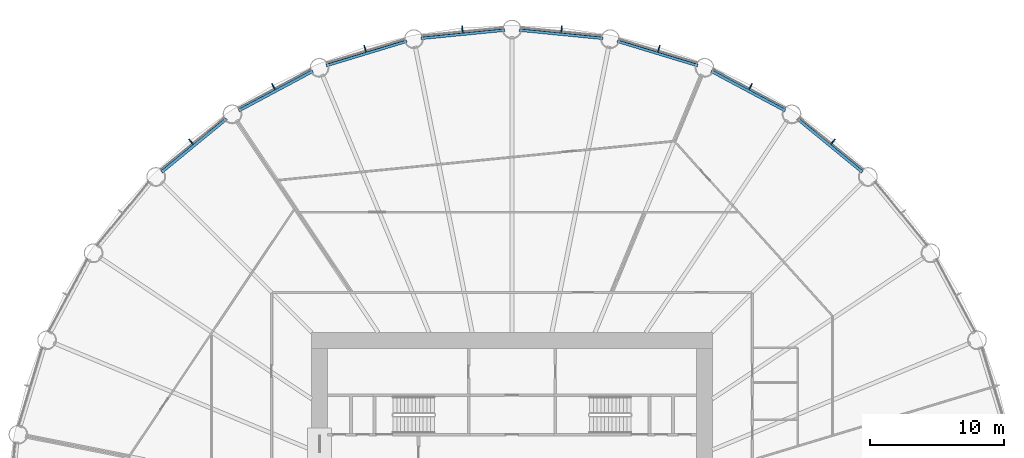
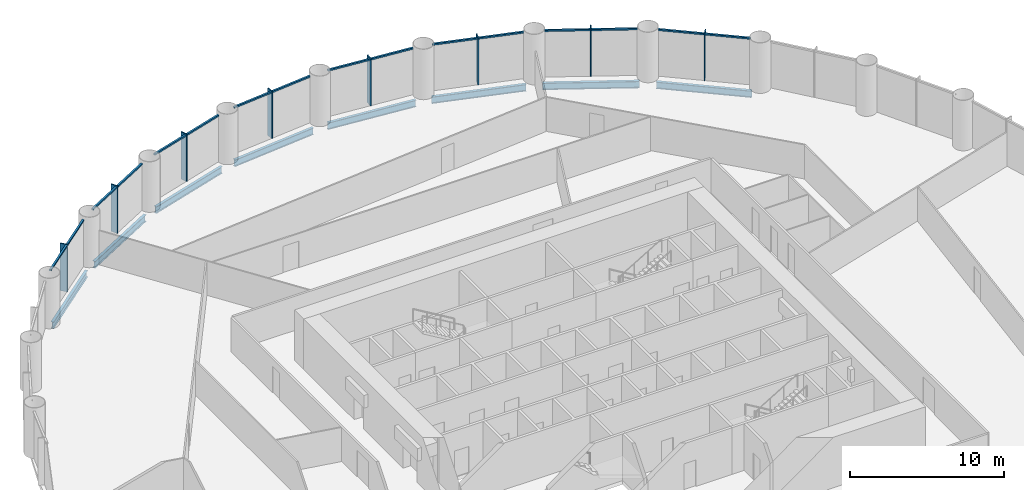
# One storey, part 7 of 14: 24 members, 8 beams, 8 elements without a shape of their own.
"""IFC4 building model written with IfcOpenShell, lengths in metres."""

from ifc_helpers import new_model, si_unit, direction, frame, origin, origin_2d, place, context, subcontext, project, spatial, rectangle, i_section, extrude, material, material_profile, profile_set, type_object, element, aggregate, save


model = new_model("IFC4")

# Units and contexts
model_context = context("Model", 3, precision=1e-05, world=origin(), true_north=direction((0.0, 1.0)))
body_context = subcontext(model_context, "Body", "Model", "MODEL_VIEW")
ifc_project = project(units=[si_unit("LENGTHUNIT", "METRE"), si_unit("AREAUNIT", "SQUARE_METRE"), si_unit("VOLUMEUNIT", "CUBIC_METRE"), si_unit("PLANEANGLEUNIT", "RADIAN"), si_unit("MASSUNIT", "GRAM", prefix="KILO")], contexts=[model_context])

# Site, building, storey
site_placement = place(None, origin())
site = spatial("IfcSite", under=ifc_project, at=site_placement, CompositionType="ELEMENT")
building_placement = place(site_placement, origin())
building = spatial("IfcBuilding", under=site, at=building_placement, Name="Corvane Civic Tower", CompositionType="ELEMENT")
storey_placement = place(building_placement, frame((0.0, 0.0, 49.0)))
storey = spatial("IfcBuildingStorey", under=building, at=storey_placement, Name="L10", CompositionType="ELEMENT", Elevation=49.0)

# Beams
ifc_material_1 = material(Name="Steel ASTM A992 Gr 50", Category="steel")
ifc_material_profile_1 = material_profile(ifc_material_1, i_section(OverallWidth=0.209228515625, OverallDepth=0.533447265625, WebThickness=0.01025390625, FlangeThickness=0.015625, at=origin_2d()), Name="W21X62")
ifc_profile_set_1 = profile_set([ifc_material_profile_1], Name="Steel ASTM A992 Gr 50")
beam_type = type_object("IfcBeamType", Name="EDGE BEAM W21X62", PredefinedType="BEAM", material=ifc_profile_set_1)
beam_1_placement = place(storey_placement, frame((0.54736328125, 37.64599609375, -0.566650390625), z_axis=(0.995186682089, -0.097997284622, 0.0), x_axis=(0.097997284622, 0.995186682089, 0.0)))
element("IfcBeam", 1, at=beam_1_placement, inside=storey, type_object=beam_type, Name="BM-L10-E01", PredefinedType="BEAM", context=body_context, shape_type="SweptSolid", body=[
    extrude(i_section(OverallWidth=0.209228515625, OverallDepth=0.533447265625, WebThickness=0.01025390625, FlangeThickness=0.015625, at=origin_2d()), origin(), (0.0, 0.0, 1.0), 6.29052734375),
])
for number, where, z_axis, x_axis, name in (
    (2, (7.88134765625, 36.81591796875, -0.566650390625), (0.956943740748, -0.290273452184, 0.0), (0.290273452184, 0.956943740748, 0.0), "BM-L10-E02"),
    (3, (14.912353515625, 34.571044921875, -0.566650390625), (0.881916367906, -0.471405897311, 0.0), (0.471405897311, 0.881916367906, 0.0), "BM-L10-E03"),
):
    element("IfcBeam", number, at=place(storey_placement, frame(where, z_axis=z_axis, x_axis=x_axis)), inside=storey, type_object=beam_type, Name=name, PredefinedType="BEAM", context=body_context, shape_type="SweptSolid", body=[
        extrude(i_section(OverallWidth=0.209228515625, OverallDepth=0.533447265625, WebThickness=0.01025390625, FlangeThickness=0.015625, at=origin_2d()), origin(), (0.0, 0.0, 1.0), 6.290283203125),
    ])
for number, where, z_axis, x_axis, name in (
    (4, (21.3701171875, 30.99755859375, -0.566650390625), (0.773015785286, -0.634386787141, 0.0), (0.634386787141, 0.773015785286, 0.0), "BM-L10-E04"),
    (5, (-26.23291015625, 27.0068359375, -0.566650390625), (0.773015785286, 0.634386787141, 0.0), (-0.634386787141, 0.773015785286, 0.0), "BM-L10-E29"),
):
    element("IfcBeam", number, at=place(storey_placement, frame(where, z_axis=z_axis, x_axis=x_axis)), inside=storey, type_object=beam_type, Name=name, PredefinedType="BEAM", context=body_context, shape_type="SweptSolid", body=[
        extrude(i_section(OverallWidth=0.209228515625, OverallDepth=0.533447265625, WebThickness=0.01025390625, FlangeThickness=0.015625, at=origin_2d()), origin(), (0.0, 0.0, 1.0), 6.290771484375),
    ])
for number, where, z_axis, x_axis, name in (
    (6, (-20.4599609375, 31.605712890625, -0.566650390625), (0.881916367906, 0.471405897311, 0.0), (-0.471405897311, 0.881916367906, 0.0), "BM-L10-E30"),
    (7, (-13.90087890625, 34.989990234375, -0.566650390625), (0.956943740748, 0.290273452184, 0.0), (-0.290273452184, 0.956943740748, 0.0), "BM-L10-E31"),
):
    element("IfcBeam", number, at=place(storey_placement, frame(where, z_axis=z_axis, x_axis=x_axis)), inside=storey, type_object=beam_type, Name=name, PredefinedType="BEAM", context=body_context, shape_type="SweptSolid", body=[
        extrude(i_section(OverallWidth=0.209228515625, OverallDepth=0.533447265625, WebThickness=0.01025390625, FlangeThickness=0.015625, at=origin_2d()), origin(), (0.0, 0.0, 1.0), 6.290283203125),
    ])
beam_2_placement = place(storey_placement, frame((-6.8076171875, 37.029541015625, -0.566650390625), z_axis=(0.995186682089, 0.097997284622, 0.0), x_axis=(-0.097997284622, 0.995186682089, 0.0)))
element("IfcBeam", 8, at=beam_2_placement, inside=storey, type_object=beam_type, Name="BM-L10-E32", PredefinedType="BEAM", context=body_context, shape_type="SweptSolid", body=[
    extrude(i_section(OverallWidth=0.209228515625, OverallDepth=0.533447265625, WebThickness=0.01025390625, FlangeThickness=0.015625, at=origin_2d()), origin(), (0.0, 0.0, 1.0), 6.29052734375),
])

# Curtain wall, members
ifc_material_2 = material(Name="Anodised aluminium bronze", Category="aluminium")
curtain_wall_type = type_object("IfcCurtainWallType", Name="TOWER CW-T1 STICK CURTAIN WALL", PredefinedType="NOTDEFINED", material=ifc_material_2)
curtain_wall_1_placement = place(storey_placement, origin())
curtain_wall_1 = element("IfcCurtainWall", 9, at=curtain_wall_1_placement, inside=storey, type_object=curtain_wall_type, Name="Curtain wall CW-T1 L10 bay 01", PredefinedType="NOTDEFINED")
ifc_material_3 = material(Name="Anodised aluminium bronze", Category="aluminium")
ifc_material_profile_2 = material_profile(ifc_material_3, rectangle(XDim=0.139892578125, YDim=0.1201171875, at=origin_2d()), Name="TOWER CW-T1 TRANSOM 140x120")
ifc_profile_set_2 = profile_set([ifc_material_profile_2], Name="Anodised aluminium bronze")
member_type_1 = type_object("IfcMemberType", Name="TOWER CW-T1 TRANSOM 140x120", PredefinedType="USERDEFINED", material=ifc_profile_set_2)
member_1_placement = place(storey_placement, frame((0.6611328125, 37.814697265625, 3.68994140625), z_axis=(0.995191836722, -0.097944923917, 0.0), x_axis=(0.097944923917, 0.995191836722, 0.0)))
member_1 = element("IfcMember", 10, at=member_1_placement, type_object=member_type_1, Name="Transom CW-T1 L10 01.1", ObjectType="TRANSOM", PredefinedType="USERDEFINED", context=body_context, shape_type="SweptSolid", body=[
    extrude(rectangle(XDim=0.139892578125, YDim=0.1201171875, at=origin_2d()), origin(), (0.0, 0.0, 1.0), 3.008544921875),
])
member_2_placement = place(storey_placement, frame((3.73486328125, 37.511962890625, 3.68994140625), z_axis=(0.995191836722, -0.097944923917, 0.0), x_axis=(0.097944923917, 0.995191836722, 0.0)))
member_2 = element("IfcMember", 11, at=member_2_placement, type_object=member_type_1, Name="Transom CW-T1 L10 01.2", ObjectType="TRANSOM", PredefinedType="USERDEFINED", context=body_context, shape_type="SweptSolid", body=[
    extrude(rectangle(XDim=0.139892578125, YDim=0.1201171875, at=origin_2d()), origin(), (0.0, 0.0, 1.0), 3.008544921875),
])

curtain_wall_2_placement = place(storey_placement, origin())
curtain_wall_2 = element("IfcCurtainWall", 12, at=curtain_wall_2_placement, inside=storey, type_object=curtain_wall_type, Name="Curtain wall CW-T1 L10 bay 02", PredefinedType="NOTDEFINED")
member_3_placement = place(storey_placement, frame((8.02587890625, 36.959228515625, 3.68994140625), z_axis=(0.956941780555, -0.290279914268, 0.0), x_axis=(0.290279914268, 0.956941780555, 0.0)))
member_3 = element("IfcMember", 13, at=member_3_placement, type_object=member_type_1, Name="Transom CW-T1 L10 02.1", ObjectType="TRANSOM", PredefinedType="USERDEFINED", context=body_context, shape_type="SweptSolid", body=[
    extrude(rectangle(XDim=0.139892578125, YDim=0.1201171875, at=origin_2d()), origin(), (0.0, 0.0, 1.0), 3.008544921875),
])
member_4_placement = place(storey_placement, frame((10.9814453125, 36.062744140625, 3.68994140625), z_axis=(0.956941780555, -0.290279914268, 0.0), x_axis=(0.290279914268, 0.956941780555, 0.0)))
member_4 = element("IfcMember", 14, at=member_4_placement, type_object=member_type_1, Name="Transom CW-T1 L10 02.2", ObjectType="TRANSOM", PredefinedType="USERDEFINED", context=body_context, shape_type="SweptSolid", body=[
    extrude(rectangle(XDim=0.139892578125, YDim=0.1201171875, at=origin_2d()), origin(), (0.0, 0.0, 1.0), 3.008544921875),
])

curtain_wall_3_placement = place(storey_placement, origin())
curtain_wall_3 = element("IfcCurtainWall", 15, at=curtain_wall_3_placement, inside=storey, type_object=curtain_wall_type, Name="Curtain wall CW-T1 L10 bay 03", PredefinedType="NOTDEFINED")
member_5_placement = place(storey_placement, frame((15.08203125, 34.683349609375, 3.68994140625), z_axis=(0.881923525532, -0.471392506424, 0.0), x_axis=(0.471392506424, 0.881923525532, 0.0)))
member_5 = element("IfcMember", 16, at=member_5_placement, type_object=member_type_1, Name="Transom CW-T1 L10 03.1", ObjectType="TRANSOM", PredefinedType="USERDEFINED", context=body_context, shape_type="SweptSolid", body=[
    extrude(rectangle(XDim=0.139892578125, YDim=0.1201171875, at=origin_2d()), origin(), (0.0, 0.0, 1.0), 3.008544921875),
])
member_6_placement = place(storey_placement, frame((17.805908203125, 33.2275390625, 3.68994140625), z_axis=(0.881923525532, -0.471392506424, 0.0), x_axis=(0.471392506424, 0.881923525532, 0.0)))
member_6 = element("IfcMember", 17, at=member_6_placement, type_object=member_type_1, Name="Transom CW-T1 L10 03.2", ObjectType="TRANSOM", PredefinedType="USERDEFINED", context=body_context, shape_type="SweptSolid", body=[
    extrude(rectangle(XDim=0.139892578125, YDim=0.1201171875, at=origin_2d()), origin(), (0.0, 0.0, 1.0), 3.008544921875),
])

curtain_wall_4_placement = place(storey_placement, origin())
curtain_wall_4 = element("IfcCurtainWall", 18, at=curtain_wall_4_placement, inside=storey, type_object=curtain_wall_type, Name="Curtain wall CW-T1 L10 bay 04", PredefinedType="NOTDEFINED")
member_7_placement = place(storey_placement, frame((21.55859375, 31.074462890625, 3.68994140625), z_axis=(0.773041738279, -0.634355161466, 0.0), x_axis=(0.634355161466, 0.773041738279, 0.0)))
member_7 = element("IfcMember", 19, at=member_7_placement, type_object=member_type_1, Name="Transom CW-T1 L10 04.1", ObjectType="TRANSOM", PredefinedType="USERDEFINED", context=body_context, shape_type="SweptSolid", body=[
    extrude(rectangle(XDim=0.139892578125, YDim=0.1201171875, at=origin_2d()), origin(), (0.0, 0.0, 1.0), 3.008544921875),
])
member_8_placement = place(storey_placement, frame((23.946044921875, 29.115234375, 3.68994140625), z_axis=(0.773001943873, -0.634403652865, 0.0), x_axis=(0.634403652865, 0.773001943873, 0.0)))
member_8 = element("IfcMember", 20, at=member_8_placement, type_object=member_type_1, Name="Transom CW-T1 L10 04.2", ObjectType="TRANSOM", PredefinedType="USERDEFINED", context=body_context, shape_type="SweptSolid", body=[
    extrude(rectangle(XDim=0.139892578125, YDim=0.1201171875, at=origin_2d()), origin(), (0.0, 0.0, 1.0), 3.008544921875),
])

curtain_wall_5_placement = place(storey_placement, origin())
curtain_wall_5 = element("IfcCurtainWall", 21, at=curtain_wall_5_placement, inside=storey, type_object=curtain_wall_type, Name="Curtain wall CW-T1 L10 bay 29", PredefinedType="NOTDEFINED")
member_9_placement = place(storey_placement, frame((-26.271728515625, 27.20654296875, 3.68994140625), z_axis=(0.773001943873, 0.634403652865, 0.0), x_axis=(-0.634403652865, 0.773001943873, 0.0)))
member_9 = element("IfcMember", 22, at=member_9_placement, type_object=member_type_1, Name="Transom CW-T1 L10 29.1", ObjectType="TRANSOM", PredefinedType="USERDEFINED", context=body_context, shape_type="SweptSolid", body=[
    extrude(rectangle(XDim=0.139892578125, YDim=0.1201171875, at=origin_2d()), origin(), (0.0, 0.0, 1.0), 3.008544921875),
])
member_10_placement = place(storey_placement, frame((-23.88427734375, 29.166015625, 3.68994140625), z_axis=(0.773041738279, 0.634355161466, 0.0), x_axis=(-0.634355161466, 0.773041738279, 0.0)))
member_10 = element("IfcMember", 23, at=member_10_placement, type_object=member_type_1, Name="Transom CW-T1 L10 29.2", ObjectType="TRANSOM", PredefinedType="USERDEFINED", context=body_context, shape_type="SweptSolid", body=[
    extrude(rectangle(XDim=0.139892578125, YDim=0.1201171875, at=origin_2d()), origin(), (0.0, 0.0, 1.0), 3.008544921875),
])

curtain_wall_6_placement = place(storey_placement, origin())
curtain_wall_6 = element("IfcCurtainWall", 24, at=curtain_wall_6_placement, inside=storey, type_object=curtain_wall_type, Name="Curtain wall CW-T1 L10 bay 30", PredefinedType="NOTDEFINED")
member_11_placement = place(storey_placement, frame((-20.459228515625, 31.809326171875, 3.68994140625), z_axis=(0.881923525532, 0.471392506424, 0.0), x_axis=(-0.471392506424, 0.881923525532, 0.0)))
member_11 = element("IfcMember", 25, at=member_11_placement, type_object=member_type_1, Name="Transom CW-T1 L10 30.1", ObjectType="TRANSOM", PredefinedType="USERDEFINED", context=body_context, shape_type="SweptSolid", body=[
    extrude(rectangle(XDim=0.139892578125, YDim=0.1201171875, at=origin_2d()), origin(), (0.0, 0.0, 1.0), 3.008544921875),
])
member_12_placement = place(storey_placement, frame((-17.7353515625, 33.26513671875, 3.68994140625), z_axis=(0.881923525532, 0.471392506424, 0.0), x_axis=(-0.471392506424, 0.881923525532, 0.0)))
member_12 = element("IfcMember", 26, at=member_12_placement, type_object=member_type_1, Name="Transom CW-T1 L10 30.2", ObjectType="TRANSOM", PredefinedType="USERDEFINED", context=body_context, shape_type="SweptSolid", body=[
    extrude(rectangle(XDim=0.139892578125, YDim=0.1201171875, at=origin_2d()), origin(), (0.0, 0.0, 1.0), 3.008544921875),
])

curtain_wall_7_placement = place(storey_placement, origin())
curtain_wall_7 = element("IfcCurtainWall", 27, at=curtain_wall_7_placement, inside=storey, type_object=curtain_wall_type, Name="Curtain wall CW-T1 L10 bay 31", PredefinedType="NOTDEFINED")
member_13_placement = place(storey_placement, frame((-13.8603515625, 35.189453125, 3.68994140625), z_axis=(0.956941780555, 0.290279914268, 0.0), x_axis=(-0.290279914268, 0.956941780555, 0.0)))
member_13 = element("IfcMember", 28, at=member_13_placement, type_object=member_type_1, Name="Transom CW-T1 L10 31.1", ObjectType="TRANSOM", PredefinedType="USERDEFINED", context=body_context, shape_type="SweptSolid", body=[
    extrude(rectangle(XDim=0.139892578125, YDim=0.1201171875, at=origin_2d()), origin(), (0.0, 0.0, 1.0), 3.008544921875),
])
member_14_placement = place(storey_placement, frame((-10.90478515625, 36.0859375, 3.68994140625), z_axis=(0.956941780555, 0.290279914268, 0.0), x_axis=(-0.290279914268, 0.956941780555, 0.0)))
member_14 = element("IfcMember", 29, at=member_14_placement, type_object=member_type_1, Name="Transom CW-T1 L10 31.2", ObjectType="TRANSOM", PredefinedType="USERDEFINED", context=body_context, shape_type="SweptSolid", body=[
    extrude(rectangle(XDim=0.139892578125, YDim=0.1201171875, at=origin_2d()), origin(), (0.0, 0.0, 1.0), 3.008544921875),
])

curtain_wall_8_placement = place(storey_placement, origin())
curtain_wall_8 = element("IfcCurtainWall", 30, at=curtain_wall_8_placement, inside=storey, type_object=curtain_wall_type, Name="Curtain wall CW-T1 L10 bay 32", PredefinedType="NOTDEFINED")
member_15_placement = place(storey_placement, frame((-6.72900390625, 37.21728515625, 3.68994140625), z_axis=(0.995191836722, 0.097944923917, 0.0), x_axis=(-0.097944923917, 0.995191836722, 0.0)))
member_15 = element("IfcMember", 31, at=member_15_placement, type_object=member_type_1, Name="Transom CW-T1 L10 32.1", ObjectType="TRANSOM", PredefinedType="USERDEFINED", context=body_context, shape_type="SweptSolid", body=[
    extrude(rectangle(XDim=0.139892578125, YDim=0.1201171875, at=origin_2d()), origin(), (0.0, 0.0, 1.0), 3.008544921875),
])
member_16_placement = place(storey_placement, frame((-3.6552734375, 37.52001953125, 3.68994140625), z_axis=(0.995191836722, 0.097944923917, 0.0), x_axis=(-0.097944923917, 0.995191836722, 0.0)))
member_16 = element("IfcMember", 32, at=member_16_placement, type_object=member_type_1, Name="Transom CW-T1 L10 32.2", ObjectType="TRANSOM", PredefinedType="USERDEFINED", context=body_context, shape_type="SweptSolid", body=[
    extrude(rectangle(XDim=0.139892578125, YDim=0.1201171875, at=origin_2d()), origin(), (0.0, 0.0, 1.0), 3.008544921875),
])

# Member
ifc_material_4 = material(Name="Anodised aluminium bronze", Category="aluminium")
ifc_material_profile_3 = material_profile(ifc_material_4, rectangle(XDim=0.080078125, YDim=0.5, at=origin_2d()), Name="TOWER FIN MULLION 80x500 BRONZE")
ifc_profile_set_3 = profile_set([ifc_material_profile_3], Name="Anodised aluminium bronze")
member_type_2 = type_object("IfcMemberType", Name="TOWER FIN MULLION 80x500 BRONZE", PredefinedType="MULLION", material=ifc_profile_set_3)
member_17_placement = place(storey_placement, frame((3.714599609375, 37.715087890625, 0.0), z_axis=(0.0, 0.0, 1.0), x_axis=(0.995185800248, -0.098006239521, 0.0)))
member_17 = element("IfcMember", 33, at=member_17_placement, type_object=member_type_2, Name="Fin mullion 01 L10", PredefinedType="MULLION", context=body_context, shape_type="SweptSolid", body=[
    extrude(rectangle(XDim=0.080078125, YDim=0.5, at=origin_2d()), origin(), (0.0, 0.0, 1.0), 3.75),
])

aggregate(curtain_wall_1, [member_17, member_1, member_2])

member_18_placement = place(storey_placement, frame((11.001220703125, 36.265625, 0.0), z_axis=(0.0, 0.0, 1.0), x_axis=(0.956942240606, -0.290278397654, 0.0)))
member_18 = element("IfcMember", 34, at=member_18_placement, type_object=member_type_2, Name="Fin mullion 02 L10", PredefinedType="MULLION", context=body_context, shape_type="SweptSolid", body=[
    extrude(rectangle(XDim=0.080078125, YDim=0.5, at=origin_2d()), origin(), (0.0, 0.0, 1.0), 3.75),
])

aggregate(curtain_wall_2, [member_18, member_3, member_4])

member_19_placement = place(storey_placement, frame((17.86474609375, 33.422607421875, 0.0), z_axis=(0.0, 0.0, 1.0), x_axis=(0.881917528864, -0.471403725359, 0.0)))
member_19 = element("IfcMember", 35, at=member_19_placement, type_object=member_type_2, Name="Fin mullion 03 L10", PredefinedType="MULLION", context=body_context, shape_type="SweptSolid", body=[
    extrude(rectangle(XDim=0.080078125, YDim=0.5, at=origin_2d()), origin(), (0.0, 0.0, 1.0), 3.75),
])

aggregate(curtain_wall_3, [member_19, member_5, member_6])

member_20_placement = place(storey_placement, frame((24.0419921875, 29.295166015625, 0.0), z_axis=(0.0, 0.0, 1.0), x_axis=(0.773007224463, -0.634397218569, 0.0)))
member_20 = element("IfcMember", 36, at=member_20_placement, type_object=member_type_2, Name="Fin mullion 04 L10", PredefinedType="MULLION", context=body_context, shape_type="SweptSolid", body=[
    extrude(rectangle(XDim=0.080078125, YDim=0.5, at=origin_2d()), origin(), (0.0, 0.0, 1.0), 3.75),
])

aggregate(curtain_wall_4, [member_20, member_7, member_8])

member_21_placement = place(storey_placement, frame((-24.0419921875, 29.295166015625, 0.0), z_axis=(0.0, 0.0, 1.0), x_axis=(0.773007224463, 0.634397218569, 0.0)))
member_21 = element("IfcMember", 37, at=member_21_placement, type_object=member_type_2, Name="Fin mullion 29 L10", PredefinedType="MULLION", context=body_context, shape_type="SweptSolid", body=[
    extrude(rectangle(XDim=0.080078125, YDim=0.5, at=origin_2d()), origin(), (0.0, 0.0, 1.0), 3.75),
])

aggregate(curtain_wall_5, [member_21, member_9, member_10])

member_22_placement = place(storey_placement, frame((-17.86474609375, 33.422607421875, 0.0), z_axis=(0.0, 0.0, 1.0), x_axis=(0.881917528864, 0.471403725359, 0.0)))
member_22 = element("IfcMember", 38, at=member_22_placement, type_object=member_type_2, Name="Fin mullion 30 L10", PredefinedType="MULLION", context=body_context, shape_type="SweptSolid", body=[
    extrude(rectangle(XDim=0.080078125, YDim=0.5, at=origin_2d()), origin(), (0.0, 0.0, 1.0), 3.75),
])

aggregate(curtain_wall_6, [member_22, member_11, member_12])

member_23_placement = place(storey_placement, frame((-11.001220703125, 36.265625, 0.0), z_axis=(0.0, 0.0, 1.0), x_axis=(0.956942240606, 0.290278397654, 0.0)))
member_23 = element("IfcMember", 39, at=member_23_placement, type_object=member_type_2, Name="Fin mullion 31 L10", PredefinedType="MULLION", context=body_context, shape_type="SweptSolid", body=[
    extrude(rectangle(XDim=0.080078125, YDim=0.5, at=origin_2d()), origin(), (0.0, 0.0, 1.0), 3.75),
])

aggregate(curtain_wall_7, [member_23, member_13, member_14])

member_24_placement = place(storey_placement, frame((-3.714599609375, 37.715087890625, 0.0), z_axis=(0.0, 0.0, 1.0), x_axis=(0.995185800248, 0.098006239521, 0.0)))
member_24 = element("IfcMember", 40, at=member_24_placement, type_object=member_type_2, Name="Fin mullion 32 L10", PredefinedType="MULLION", context=body_context, shape_type="SweptSolid", body=[
    extrude(rectangle(XDim=0.080078125, YDim=0.5, at=origin_2d()), origin(), (0.0, 0.0, 1.0), 3.75),
])

aggregate(curtain_wall_8, [member_24, member_15, member_16])

save(model, "model.ifc")
